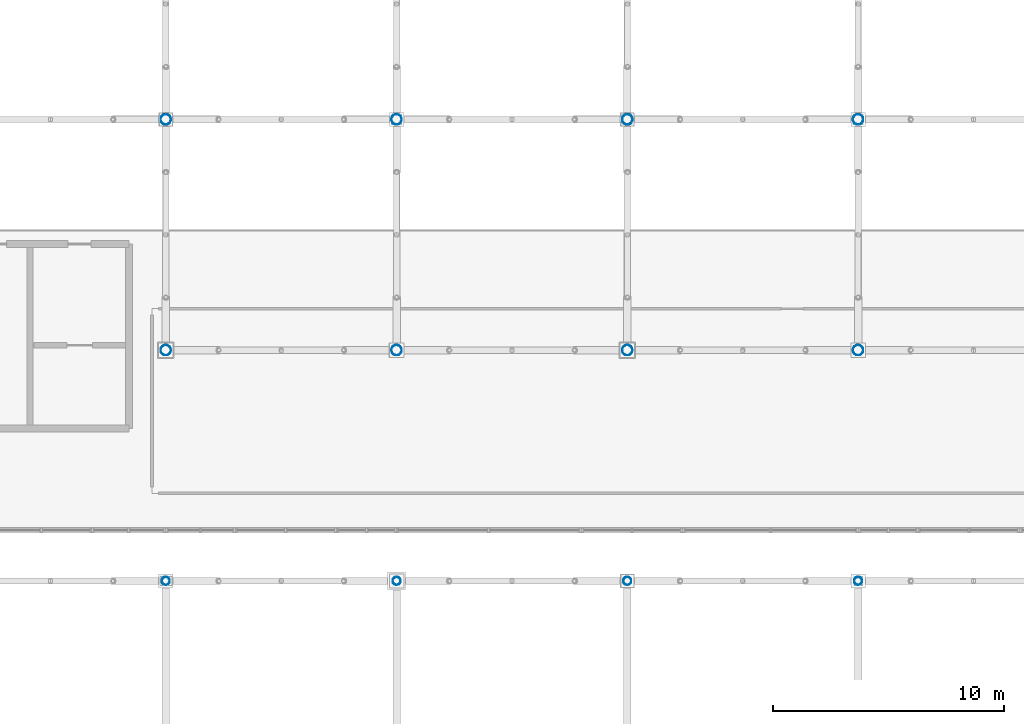
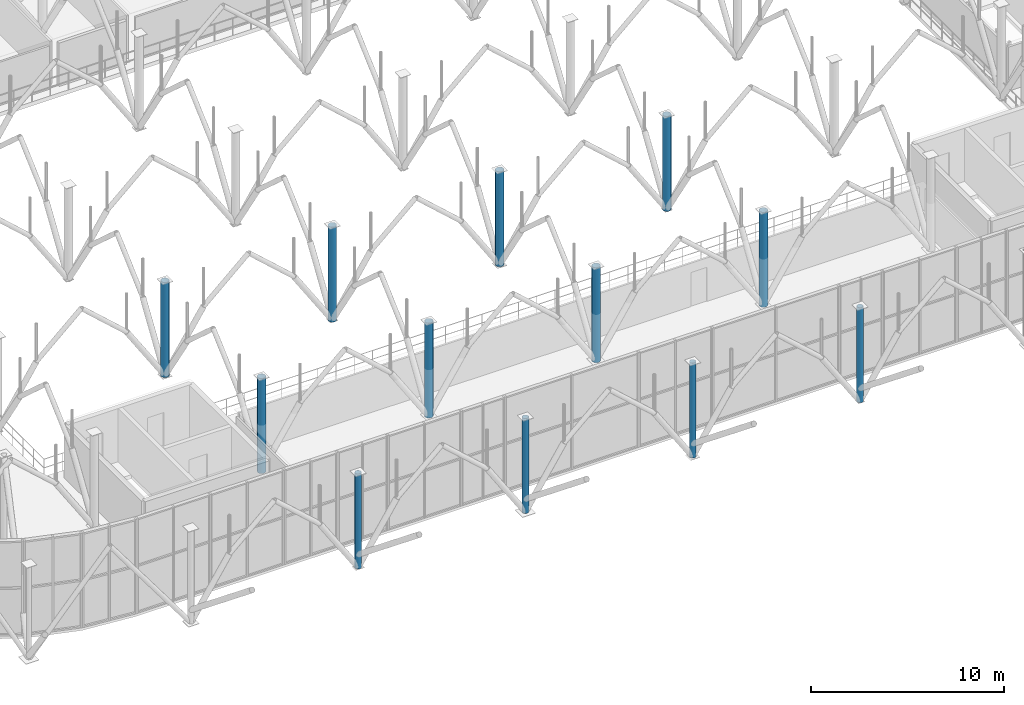
# One storey, part 3 of 109: 12 columns.
"""IFC4 building model written with IfcOpenShell, lengths in metres."""

from ifc_helpers import new_model, si_unit, derived_unit, direction, frame, origin, origin_2d_with_axis, place, context, subcontext, project, spatial, hollow_circle, extrude, material, material_profile, profile_set, type_object, element, save


model = new_model("IFC4")

# Units and contexts
model_context = context("Model", 3, precision=1e-05, world=origin(), true_north=direction((0.0, 1.0)))
body_context = subcontext(model_context, "Body", "Model", "MODEL_VIEW")
ifc_project = project(units=[si_unit("LENGTHUNIT", "METRE"), si_unit("AREAUNIT", "SQUARE_METRE"), si_unit("VOLUMEUNIT", "CUBIC_METRE"), si_unit("PLANEANGLEUNIT", "RADIAN"), si_unit("MASSUNIT", "GRAM", prefix="KILO"), derived_unit("THERMALTRANSMITTANCEUNIT", [(si_unit("POWERUNIT", "WATT"), 1), (si_unit("LENGTHUNIT", "METRE"), -2), (si_unit("THERMODYNAMICTEMPERATUREUNIT", "KELVIN"), -1)])], contexts=[model_context])

# Site, building, storey
site_placement = place(None, origin())
site = spatial("IfcSite", under=ifc_project, at=site_placement, CompositionType="ELEMENT")
building_placement = place(site_placement, origin())
building = spatial("IfcBuilding", under=site, at=building_placement, Name="Cinnabar Yard Market Hall", CompositionType="ELEMENT")
storey_placement = place(building_placement, frame((0.0, 0.0, 8.39990234375)))
storey = spatial("IfcBuildingStorey", under=building, at=storey_placement, Name="L02", CompositionType="ELEMENT", Elevation=8.39990234375)

# Columns
ifc_material = material(Name="Spotted-gum glulam-clad steel Grade 350 (350 MPa)", Category="steel")
ifc_material_profile_1 = material_profile(ifc_material, hollow_circle(Radius=0.228515625, WallThickness=0.0126953125, at=origin_2d_with_axis()), Name="457.0x12.7CHS")
ifc_profile_set_1 = profile_set([ifc_material_profile_1], Name="Spotted-gum glulam-clad steel Grade 350 (350 MPa)")
column_type_1 = type_object("IfcColumnType", Name="COL-C01", PredefinedType="COLUMN", material=ifc_profile_set_1)
for number, where, z_axis, x_axis, name in (
    (1, (96.0, 24.0, 0.0), (0.0, 0.0, 1.0), (1.0, 0.0, 0.0), "Tree Column V1I-03-01 L02"),
    (2, (96.0, 34.0, 0.0), (0.0, 0.0, 1.0), (1.0, 0.0, 0.0), "Tree Column V1I-03-02 L02"),
    (3, (106.0, 24.0, 0.0), (0.0, 0.0, 1.0), (1.0, 0.0, 0.0), "Tree Column V1I-04-01 L02"),
    (4, (106.0, 34.0, 0.0), (0.0, 0.0, 1.0), (1.0, 0.0, 0.0), "Tree Column V1I-04-02 L02"),
    (5, (116.0, 24.0, 0.0), (0.0, 0.0, 1.0), (1.0, 0.0, 0.0), "Tree Column V1I-05-01 L02"),
    (6, (116.0, 34.0, 0.0), (0.0, 0.0, 1.0), (1.0, 0.0, 0.0), "Tree Column V1I-05-02 L02"),
    (7, (126.0, 24.0, 0.0), (0.0, 0.0, 1.0), (1.0, 0.0, 0.0), "Tree Column V1I-06-01 L02"),
    (8, (126.0, 34.0, 0.0), (0.0, 0.0, 1.0), (1.0, 0.0, 0.0), "Tree Column V1I-06-02 L02"),
):
    element("IfcColumn", number, at=place(storey_placement, frame(where, z_axis=z_axis, x_axis=x_axis)), inside=storey, type_object=column_type_1, Name=name, PredefinedType="COLUMN", context=body_context, shape_type="SweptSolid", body=[
        extrude(hollow_circle(Radius=0.228515625, WallThickness=0.0126953125, at=origin_2d_with_axis()), origin(), (0.0, 0.0, 1.0), 6.0),
    ])
ifc_material_profile_2 = material_profile(ifc_material, hollow_circle(Radius=0.177734375, WallThickness=0.0126953125, at=origin_2d_with_axis()), Name="355.6x12.7CHS")
ifc_profile_set_2 = profile_set([ifc_material_profile_2], Name="Spotted-gum glulam-clad steel Grade 350 (350 MPa)")
column_type_2 = type_object("IfcColumnType", Name="COL-C02E", PredefinedType="COLUMN", material=ifc_profile_set_2)
for number, where, z_axis, x_axis, name in (
    (9, (96.0, 14.0, 0.0), (0.0, 0.0, 1.0), (1.0, 0.0, 0.0), "Tree Column V1S-02 L02"),
    (10, (106.0, 14.0, 0.0), (0.0, 0.0, 1.0), (1.0, 0.0, 0.0), "Tree Column V1S-03 L02"),
    (11, (116.0, 14.0, 0.0), (0.0, 0.0, 1.0), (1.0, 0.0, 0.0), "Tree Column V1S-04 L02"),
    (12, (126.0, 14.0, 0.0), (0.0, 0.0, 1.0), (1.0, 0.0, 0.0), "Tree Column V1S-05 L02"),
):
    element("IfcColumn", number, at=place(storey_placement, frame(where, z_axis=z_axis, x_axis=x_axis)), inside=storey, type_object=column_type_2, Name=name, PredefinedType="COLUMN", context=body_context, shape_type="SweptSolid", body=[
        extrude(hollow_circle(Radius=0.177734375, WallThickness=0.0126953125, at=origin_2d_with_axis()), origin(), (0.0, 0.0, 1.0), 6.0),
    ])

save(model, "model.ifc")
